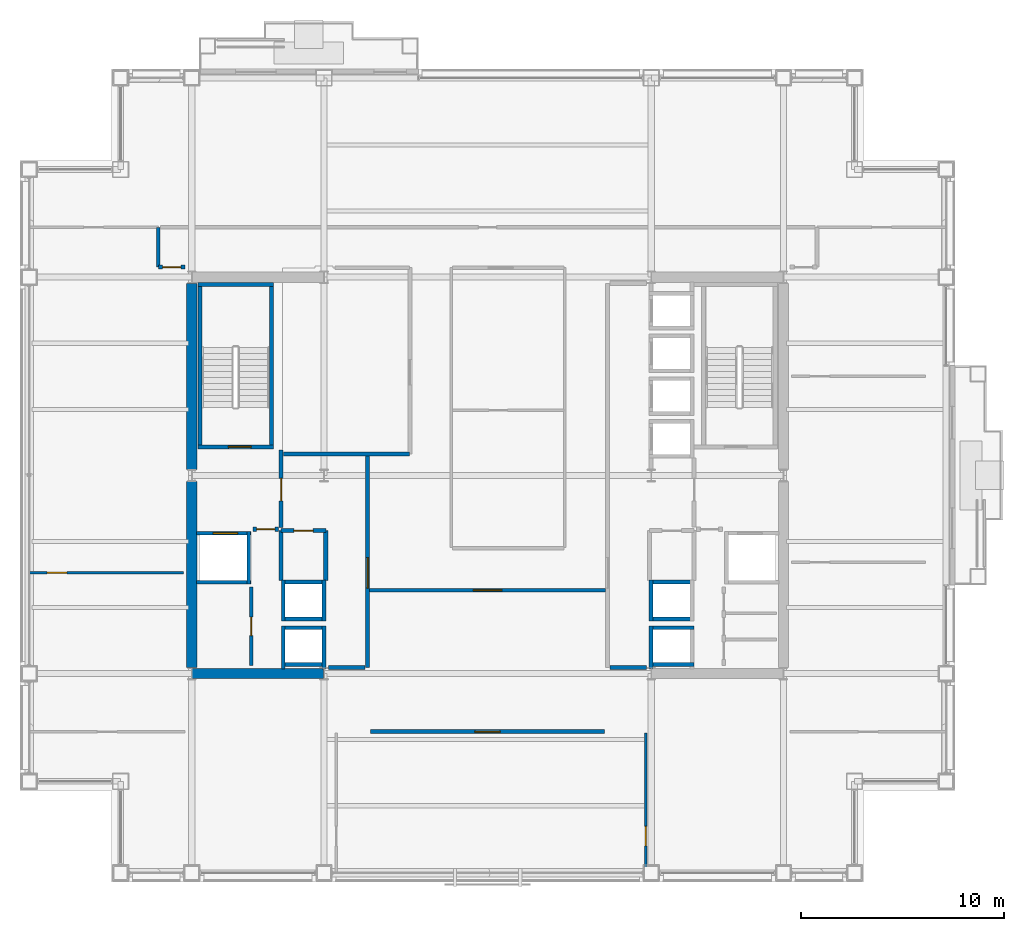
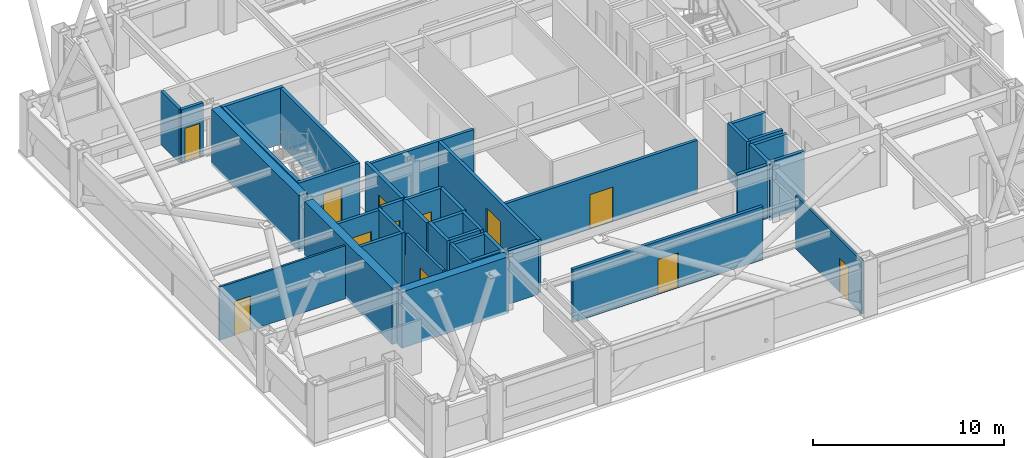
# One storey, part 29 of 35: 40 walls, 12 doors, 12 openings.
"""IFC4 building model written with IfcOpenShell, lengths in metres."""

from ifc_helpers import new_model, si_unit, direction, frame, frame_2d, origin, place, context, subcontext, project, spatial, rectangle, extrude, material, layer, layer_set, type_object, element, fill, save


model = new_model("IFC4")

# Units and contexts
model_context = context("Model", 3, precision=1e-05, world=origin(), true_north=direction((0.0, 1.0)))
body_context = subcontext(model_context, "Body", "Model", "MODEL_VIEW")
ifc_project = project(units=[si_unit("LENGTHUNIT", "METRE"), si_unit("AREAUNIT", "SQUARE_METRE"), si_unit("VOLUMEUNIT", "CUBIC_METRE"), si_unit("PLANEANGLEUNIT", "RADIAN"), si_unit("MASSUNIT", "GRAM", prefix="KILO")], contexts=[model_context])

# Site, building, storey
site_placement = place(None, origin())
site = spatial("IfcSite", under=ifc_project, at=site_placement, CompositionType="ELEMENT")
building_placement = place(site_placement, origin())
building = spatial("IfcBuilding", under=site, at=building_placement, Name="Brelmoor Portico Tower", CompositionType="ELEMENT")
storey_placement = place(building_placement, frame((0.0, 0.0, 131.39990234375)))
storey = spatial("IfcBuildingStorey", under=building, at=storey_placement, Name="L34", CompositionType="ELEMENT", Elevation=131.39990234375)

# Walls
ifc_material_1 = material(Name="Concrete C60", Category="concrete")
ifc_layer_1 = layer(ifc_material_1, 0.5)
ifc_layer_set_1 = layer_set([ifc_layer_1], Name="Concrete C60")
wall_type_1 = type_object("IfcWallType", Name="WL-CORE-500", PredefinedType="SHEAR", material=ifc_layer_set_1)
wall_1_placement = place(storey_placement, frame((-14.530029296875, -9.75, -0.199951171875), z_axis=(0.0, 0.0, 1.0), x_axis=(1.0, 0.0, 0.0)))
element("IfcWall", 1, at=wall_1_placement, inside=storey, type_object=wall_type_1, Name="L34 WC South Shear Wall", PredefinedType="SHEAR", context=body_context, shape_type="SweptSolid", body=[
    extrude(rectangle(XDim=6.4599609375, YDim=0.5, at=frame_2d((3.22998046875, 0.0))), origin(), (0.0, 0.0, 1.0), 3.60009765625),
])
for number, where, z_axis, x_axis, name in (
    (2, (-14.550048828125, -9.449951171875, -0.199951171875), (0.0, 0.0, 1.0), (0.0, 1.0, 0.0), "L34 WC Outer South Shear Wall"),
    (3, (-14.550048828125, 0.300048828125, -0.199951171875), (0.0, 0.0, 1.0), (0.0, 1.0, 0.0), "L34 WC Outer North Shear Wall"),
):
    element("IfcWall", number, at=place(storey_placement, frame(where, z_axis=z_axis, x_axis=x_axis)), inside=storey, type_object=wall_type_1, Name=name, PredefinedType="SHEAR", context=body_context, shape_type="SweptSolid", body=[
        extrude(rectangle(XDim=9.14990234375, YDim=0.5, at=frame_2d((4.574951171875, 0.0))), origin(), (0.0, 0.0, 1.0), 3.60009765625),
    ])

# Wall, opening, door
ifc_material_2 = material(Name="Lightweight Gypsum Office Partition", Category="gypsum")
ifc_layer_2 = layer(ifc_material_2, 0.1201171875)
ifc_layer_set_2 = layer_set([ifc_layer_2], Name="Lightweight Gypsum Office Partition")
wall_type_2 = type_object("IfcWallType", Name="WL-PART-120", PredefinedType="PARTITIONING", material=ifc_layer_set_2)
wall_2_placement = place(storey_placement, frame((7.778564453125, -19.56005859375, 0.0), z_axis=(0.0, 0.0, 1.0), x_axis=(0.0, 1.0, 0.0)))
wall_2 = element("IfcWall", 4, at=wall_2_placement, inside=storey, type_object=wall_type_2, Name="L34 South Suite Partition 2", PredefinedType="PARTITIONING", context=body_context, shape_type="SweptSolid", body=[
    extrude(rectangle(XDim=6.900146484375, YDim=0.1201171875, at=frame_2d((3.4501953125, 0.0))), origin(), (0.0, 0.0, 1.0), 3.400146484375),
])
opening_1_placement = place(wall_2_placement, frame((1.340087890625, 0.0, 0.0)))
opening_1 = element("IfcOpeningElement", 5, at=opening_1_placement, cuts=wall_2, Name="Opening D-IN2", PredefinedType="OPENING", context=body_context, shape_type="SweptSolid", body=[
    extrude(rectangle(XDim=0.9599609375, YDim=2.179931640625, at=frame_2d((0.47998046875, 1.08984375))), frame((0.0, 0.070068359375, 0.0), z_axis=(0.0, -1.0, 0.0), x_axis=(1.0, 0.0, 0.0)), (0.0, 0.0, 1.0), 0.14013671875),
])
ifc_material_3 = material(Name="Lacquered Timber Suite Door", Category="wood")
door_type_1 = type_object("IfcDoorType", Name="DR-INT-950", OperationType="NOTDEFINED", PredefinedType="DOOR", material=ifc_material_3)
door_1_placement = place(opening_1_placement, origin())
door_1 = element("IfcDoor", 6, at=door_1_placement, inside=storey, type_object=door_type_1, Name="D-1493 L34 South Suite Connecting Door 2", OperationType="SINGLE_SWING_RIGHT", OverallHeight=2.179931640625, OverallWidth=0.9599609375, PredefinedType="DOOR", context=body_context, shape_type="SweptSolid", body=[
    extrude(rectangle(XDim=0.9599609375, YDim=2.179931640625, at=frame_2d((0.47998046875, 1.08984375))), frame((0.0, 0.02490234375, 0.0), z_axis=(0.0, -1.0, 0.0), x_axis=(1.0, 0.0, 0.0)), (0.0, 0.0, 1.0), 0.050048828125),
])
fill(opening_1, door_1)

wall_3_placement = place(storey_placement, frame((-22.56005859375, -4.788330078125, 0.0), z_axis=(0.0, 0.0, 1.0), x_axis=(1.0, 0.0, 0.0)))
wall_3 = element("IfcWall", 7, at=wall_3_placement, inside=storey, type_object=wall_type_2, Name="L34 W Wing Partition 1", PredefinedType="PARTITIONING", context=body_context, shape_type="SweptSolid", body=[
    extrude(rectangle(XDim=7.60009765625, YDim=0.1201171875, at=frame_2d((3.800048828125, 0.0))), origin(), (0.0, 0.0, 1.0), 3.400146484375),
])
opening_2_placement = place(wall_3_placement, frame((0.89990234375, 0.0, 0.0)))
opening_2 = element("IfcOpeningElement", 8, at=opening_2_placement, cuts=wall_3, Name="Opening D-IN2", PredefinedType="OPENING", context=body_context, shape_type="SweptSolid", body=[
    extrude(rectangle(XDim=0.9599609375, YDim=2.179931640625, at=frame_2d((0.47998046875, 1.08984375))), frame((0.0, 0.070068359375, 0.0), z_axis=(0.0, -1.0, 0.0), x_axis=(1.0, 0.0, 0.0)), (0.0, 0.0, 1.0), 0.14013671875),
])
door_2_placement = place(opening_2_placement, origin())
door_2 = element("IfcDoor", 9, at=door_2_placement, inside=storey, type_object=door_type_1, Name="D-1504 L34 W Wing Suite Connecting Door 1", OperationType="SINGLE_SWING_LEFT", OverallHeight=2.179931640625, OverallWidth=0.9599609375, PredefinedType="DOOR", context=body_context, shape_type="SweptSolid", body=[
    extrude(rectangle(XDim=0.9599609375, YDim=2.179931640625, at=frame_2d((0.47998046875, 1.08984375))), frame((0.0, 0.02490234375, 0.0), z_axis=(0.0, -1.0, 0.0), x_axis=(1.0, 0.0, 0.0)), (0.0, 0.0, 1.0), 0.050048828125),
])
fill(opening_2, door_2)

ifc_material_4 = material(Name="Twin-Frame Acoustic Partition", Category="gypsum")
ifc_layer_3 = layer(ifc_material_4, 0.159912109375)
ifc_layer_set_3 = layer_set([ifc_layer_3], Name="Twin-Frame Acoustic Partition")
wall_type_3 = type_object("IfcWallType", Name="WL-PART-160", PredefinedType="PARTITIONING", material=ifc_layer_set_3)
wall_4_placement = place(storey_placement, frame((-11.6201171875, -9.35009765625, 0.0), z_axis=(0.0, 0.0, 1.0), x_axis=(0.0, 1.0, 0.0)))
wall_4 = element("IfcWall", 10, at=wall_4_placement, inside=storey, type_object=wall_type_3, Name="L34 W Core Service Front Wall", PredefinedType="PARTITIONING", context=body_context, shape_type="SweptSolid", body=[
    extrude(rectangle(XDim=3.85009765625, YDim=0.159912109375, at=frame_2d((1.925048828125, 0.0))), origin(), (0.0, 0.0, 1.0), 3.400146484375),
])
opening_3_placement = place(wall_4_placement, frame((1.47509765625, 0.0, 0.0)))
opening_3 = element("IfcOpeningElement", 11, at=opening_3_placement, cuts=wall_4, Name="Opening D-IN1", PredefinedType="OPENING", context=body_context, shape_type="SweptSolid", body=[
    extrude(rectangle(XDim=0.89990234375, YDim=2.14990234375, at=frame_2d((0.449951171875, 1.074951171875))), frame((0.0, 0.08984375, 0.0), z_axis=(0.0, -1.0, 0.0), x_axis=(1.0, 0.0, 0.0)), (0.0, 0.0, 1.0), 0.179931640625),
])
door_type_2 = type_object("IfcDoorType", Name="DR-INT-900", OperationType="NOTDEFINED", PredefinedType="DOOR", material=ifc_material_3)
door_3_placement = place(opening_3_placement, origin())
door_3 = element("IfcDoor", 12, at=door_3_placement, inside=storey, type_object=door_type_2, Name="D-1480 L34 W Accessible WC Door", OperationType="SINGLE_SWING_RIGHT", OverallHeight=2.14990234375, OverallWidth=0.89990234375, PredefinedType="DOOR", context=body_context, shape_type="SweptSolid", body=[
    extrude(rectangle(XDim=0.89990234375, YDim=2.14990234375, at=frame_2d((0.449951171875, 1.074951171875))), frame((0.0, 0.02490234375, 0.0), z_axis=(0.0, -1.0, 0.0), x_axis=(1.0, 0.0, 0.0)), (0.0, 0.0, 1.0), 0.050048828125),
])
fill(opening_3, door_3)

# Wall
ifc_material_5 = material(Name="Acoustic Corridor Fire Partition", Category="gypsum")
ifc_layer_4 = layer(ifc_material_5, 0.179931640625)
ifc_layer_set_4 = layer_set([ifc_layer_4], Name="Acoustic Corridor Fire Partition")
wall_type_4 = type_object("IfcWallType", Name="WL-PART-180", PredefinedType="PARTITIONING", material=ifc_layer_set_4)
wall_5_placement = place(storey_placement, frame((-10.050048828125, 1.050048828125, 0.0), z_axis=(0.0, 0.0, 1.0), x_axis=(1.0, 0.0, 0.0)))
element("IfcWall", 13, at=wall_5_placement, inside=storey, type_object=wall_type_4, Name="L34 Reclaimed West Suite South Wall", PredefinedType="PARTITIONING", context=body_context, shape_type="SweptSolid", body=[
    extrude(rectangle(XDim=6.2099609375, YDim=0.179931640625, at=frame_2d((3.10498046875, 0.0))), origin(), (0.0, 0.0, 1.0), 3.400146484375),
])

# Wall, opening, door
wall_6_placement = place(storey_placement, frame((-5.800048828125, -5.64990234375, 0.0), z_axis=(0.0, 0.0, 1.0), x_axis=(1.0, 0.0, 0.0)))
wall_6 = element("IfcWall", 14, at=wall_6_placement, inside=storey, type_object=wall_type_4, Name="L34 South Hub Corridor Wall", PredefinedType="PARTITIONING", context=body_context, shape_type="SweptSolid", body=[
    extrude(rectangle(XDim=11.60009765625, YDim=0.179931640625, at=frame_2d((5.800048828125, 0.0))), origin(), (0.0, 0.0, 1.0), 3.400146484375),
])
opening_4_placement = place(wall_6_placement, frame((5.10009765625, 0.0, 0.0)))
opening_4 = element("IfcOpeningElement", 15, at=opening_4_placement, cuts=wall_6, Name="Opening D-SU2", PredefinedType="OPENING", context=body_context, shape_type="SweptSolid", body=[
    extrude(rectangle(XDim=1.39990234375, YDim=2.199951171875, at=frame_2d((0.699951171875, 1.10009765625))), frame((0.0, 0.099853515625, 0.0), z_axis=(0.0, -1.0, 0.0), x_axis=(1.0, 0.0, 0.0)), (0.0, 0.0, 1.0), 0.199951171875),
])
ifc_material_6 = material(Name="Double-Leaf Acoustic Suite Door", Category="timber")
door_type_3 = type_object("IfcDoorType", Name="DR-SUITE-1400", OperationType="NOTDEFINED", PredefinedType="DOOR", material=ifc_material_6)
door_4_placement = place(opening_4_placement, origin())
door_4 = element("IfcDoor", 16, at=door_4_placement, inside=storey, type_object=door_type_3, Name="D-1472 L34 South Reception Hub Door", OperationType="DOUBLE_DOOR_SINGLE_SWING", OverallHeight=2.199951171875, OverallWidth=1.39990234375, PredefinedType="DOOR", context=body_context, shape_type="SweptSolid", body=[
    extrude(rectangle(XDim=1.39990234375, YDim=2.199951171875, at=frame_2d((0.699951171875, 1.10009765625))), frame((0.0, 0.02490234375, 0.0), z_axis=(0.0, -1.0, 0.0), x_axis=(1.0, 0.0, 0.0)), (0.0, 0.0, 1.0), 0.050048828125),
])
fill(opening_4, door_4)

wall_7_placement = place(storey_placement, frame((-5.75, -12.60009765625, 0.0), z_axis=(0.0, 0.0, 1.0), x_axis=(1.0, 0.0, 0.0)))
wall_7 = element("IfcWall", 17, at=wall_7_placement, inside=storey, type_object=wall_type_4, Name="L34 South Corridor Partition", PredefinedType="PARTITIONING", context=body_context, shape_type="SweptSolid", body=[
    extrude(rectangle(XDim=11.5, YDim=0.179931640625, at=frame_2d((5.75, 0.0))), origin(), (0.0, 0.0, 1.0), 3.400146484375),
])
opening_5_placement = place(wall_7_placement, frame((5.1298828125, 0.0, 0.0)))
opening_5 = element("IfcOpeningElement", 18, at=opening_5_placement, cuts=wall_7, Name="Opening D-SU1", PredefinedType="OPENING", context=body_context, shape_type="SweptSolid", body=[
    extrude(rectangle(XDim=1.239990234375, YDim=2.239990234375, at=frame_2d((0.6201171875, 1.1201171875))), frame((0.0, 0.099853515625, 0.0), z_axis=(0.0, -1.0, 0.0), x_axis=(1.0, 0.0, 0.0)), (0.0, 0.0, 1.0), 0.199951171875),
])
ifc_material_7 = material(Name="Glazed Timber Executive Suite Door", Category="wood")
door_type_4 = type_object("IfcDoorType", Name="DR-SUITE-1200", OperationType="NOTDEFINED", PredefinedType="DOOR", material=ifc_material_7)
door_5_placement = place(opening_5_placement, origin())
door_5 = element("IfcDoor", 19, at=door_5_placement, inside=storey, type_object=door_type_4, Name="D-1491 L34 South Technical Storage 2 Door", OperationType="SINGLE_SWING_LEFT", OverallHeight=2.239990234375, OverallWidth=1.239990234375, PredefinedType="DOOR", context=body_context, shape_type="SweptSolid", body=[
    extrude(rectangle(XDim=1.239990234375, YDim=2.239990234375, at=frame_2d((0.6201171875, 1.1201171875))), frame((0.0, 0.02490234375, 0.0), z_axis=(0.0, -1.0, 0.0), x_axis=(1.0, 0.0, 0.0)), (0.0, 0.0, 1.0), 0.050048828125),
])
fill(opening_5, door_5)

wall_8_placement = place(storey_placement, frame((-16.199951171875, 10.25, 0.0), z_axis=(0.0, 0.0, 1.0), x_axis=(1.0, 0.0, 0.0)))
wall_8 = element("IfcWall", 20, at=wall_8_placement, inside=storey, type_object=wall_type_4, Name="L34 W Wing North Entry Wall", PredefinedType="PARTITIONING", context=body_context, shape_type="SweptSolid", body=[
    extrude(rectangle(XDim=1.320068359375, YDim=0.179931640625, at=frame_2d((0.66015625, 0.0))), origin(), (0.0, 0.0, 1.0), 3.400146484375),
])
opening_6_placement = place(wall_8_placement, frame((0.2099609375, 0.0, 0.0)))
opening_6 = element("IfcOpeningElement", 21, at=opening_6_placement, cuts=wall_8, Name="Opening D-IN1", PredefinedType="OPENING", context=body_context, shape_type="SweptSolid", body=[
    extrude(rectangle(XDim=0.89990234375, YDim=2.14990234375, at=frame_2d((0.449951171875, 1.074951171875))), frame((0.0, 0.099853515625, 0.0), z_axis=(0.0, -1.0, 0.0), x_axis=(1.0, 0.0, 0.0)), (0.0, 0.0, 1.0), 0.199951171875),
])
door_6_placement = place(opening_6_placement, origin())
door_6 = element("IfcDoor", 22, at=door_6_placement, inside=storey, type_object=door_type_2, Name="D-1503 L34 W Wing Entry Door", OperationType="SINGLE_SWING_RIGHT", OverallHeight=2.14990234375, OverallWidth=0.89990234375, PredefinedType="DOOR", context=body_context, shape_type="SweptSolid", body=[
    extrude(rectangle(XDim=0.89990234375, YDim=2.14990234375, at=frame_2d((0.449951171875, 1.074951171875))), frame((0.0, 0.02490234375, 0.0), z_axis=(0.0, -1.0, 0.0), x_axis=(1.0, 0.0, 0.0)), (0.0, 0.0, 1.0), 0.050048828125),
])
fill(opening_6, door_6)

# Wall
wall_9_placement = place(storey_placement, frame((-16.199951171875, 10.25, 0.0), z_axis=(0.0, 0.0, 1.0), x_axis=(0.0, 1.0, 0.0)))
element("IfcWall", 23, at=wall_9_placement, inside=storey, type_object=wall_type_4, Name="L34 W Corridor End Closure", PredefinedType="PARTITIONING", context=body_context, shape_type="SweptSolid", body=[
    extrude(rectangle(XDim=1.949951171875, YDim=0.179931640625, at=frame_2d((0.97509765625, 0.0))), origin(), (0.0, 0.0, 1.0), 3.400146484375),
])

# Wall, opening, door
ifc_material_8 = material(Name="Double-Stud Gypsum Fire Partition", Category="gypsum")
ifc_layer_5 = layer(ifc_material_8, 0.199951171875)
ifc_layer_set_5 = layer_set([ifc_layer_5], Name="Double-Stud Gypsum Fire Partition")
wall_type_5 = type_object("IfcWallType", Name="WL-PART-200", PredefinedType="PARTITIONING", material=ifc_layer_set_5)
wall_10_placement = place(storey_placement, frame((-5.89990234375, -9.449951171875, 0.0), z_axis=(0.0, 0.0, 1.0), x_axis=(0.0, 1.0, 0.0)))
wall_10 = element("IfcWall", 24, at=wall_10_placement, inside=storey, type_object=wall_type_5, Name="L34 W Core Lobby Compartment Wall", PredefinedType="PARTITIONING", context=body_context, shape_type="SweptSolid", body=[
    extrude(rectangle(XDim=10.5, YDim=0.199951171875, at=frame_2d((5.25, 0.0))), origin(), (0.0, 0.0, 1.0), 3.400146484375),
])
opening_7_placement = place(wall_10_placement, frame((3.89990234375, 0.0, 0.0)))
opening_7 = element("IfcOpeningElement", 25, at=opening_7_placement, cuts=wall_10, Name="Opening D-LB1", PredefinedType="OPENING", context=body_context, shape_type="SweptSolid", body=[
    extrude(rectangle(XDim=1.5, YDim=2.199951171875, at=frame_2d((0.75, 1.10009765625))), frame((0.0, 0.10986328125, 0.0), z_axis=(0.0, -1.0, 0.0), x_axis=(1.0, 0.0, 0.0)), (0.0, 0.0, 1.0), 0.219970703125),
])
ifc_material_9 = material(Name="Double-Leaf Glazed Steel Fire Door", Category="steel")
door_type_5 = type_object("IfcDoorType", Name="DR-LOBBY-1500", OperationType="NOTDEFINED", PredefinedType="DOOR", material=ifc_material_9)
door_7_placement = place(opening_7_placement, origin())
door_7 = element("IfcDoor", 26, at=door_7_placement, inside=storey, type_object=door_type_5, Name="D-1486 L34 W Lift Lobby Main Door", OperationType="DOUBLE_DOOR_SINGLE_SWING", OverallHeight=2.199951171875, OverallWidth=1.5, PredefinedType="DOOR", context=body_context, shape_type="SweptSolid", body=[
    extrude(rectangle(XDim=1.5, YDim=2.199951171875, at=frame_2d((0.75, 1.10009765625))), frame((0.0, 0.02490234375, 0.0), z_axis=(0.0, -1.0, 0.0), x_axis=(1.0, 0.0, 0.0)), (0.0, 0.0, 1.0), 0.050048828125),
])
fill(opening_7, door_7)

# Wall
wall_11_placement = place(storey_placement, frame((-6.02001953125, -9.449951171875, 0.0), z_axis=(0.0, 0.0, 1.0), x_axis=(-1.0, 0.0, 0.0)))
element("IfcWall", 27, at=wall_11_placement, inside=storey, type_object=wall_type_5, Name="L34 W Lift Lobby South End Wall", PredefinedType="PARTITIONING", context=body_context, shape_type="SweptSolid", body=[
    extrude(rectangle(XDim=1.800048828125, YDim=0.199951171875, at=frame_2d((0.89990234375, 0.0))), origin(), (0.0, 0.0, 1.0), 3.400146484375),
])

# Wall, opening, door
wall_12_placement = place(storey_placement, frame((-10.159912109375, -2.550048828125, 0.0), z_axis=(0.0, 0.0, 1.0), x_axis=(0.0, 1.0, 0.0)))
wall_12 = element("IfcWall", 28, at=wall_12_placement, inside=storey, type_object=wall_type_5, Name="L34 W Firefighting Lobby Wall", PredefinedType="PARTITIONING", context=body_context, shape_type="SweptSolid", body=[
    extrude(rectangle(XDim=3.800048828125, YDim=0.199951171875, at=frame_2d((1.89990234375, 0.0))), origin(), (0.0, 0.0, 1.0), 3.400146484375),
])
opening_8_placement = place(wall_12_placement, frame((1.300048828125, 0.0, 0.0)))
opening_8 = element("IfcOpeningElement", 29, at=opening_8_placement, cuts=wall_12, Name="Opening D-FR1", PredefinedType="OPENING", context=body_context, shape_type="SweptSolid", body=[
    extrude(rectangle(XDim=1.10009765625, YDim=2.14990234375, at=frame_2d((0.550048828125, 1.074951171875))), frame((0.0, 0.10986328125, 0.0), z_axis=(0.0, -1.0, 0.0), x_axis=(1.0, 0.0, 0.0)), (0.0, 0.0, 1.0), 0.219970703125),
])
ifc_material_10 = material(Name="Painted Galvanised Steel Fire Door", Category="steel")
door_type_6 = type_object("IfcDoorType", Name="DR-FIRE-1100", OperationType="NOTDEFINED", PredefinedType="DOOR", material=ifc_material_10)
door_8_placement = place(opening_8_placement, origin())
door_8 = element("IfcDoor", 30, at=door_8_placement, inside=storey, type_object=door_type_6, Name="D-1484 L34 W Firefighting Lobby Door", OperationType="SINGLE_SWING_LEFT", OverallHeight=2.14990234375, OverallWidth=1.10009765625, PredefinedType="DOOR", context=body_context, shape_type="SweptSolid", body=[
    extrude(rectangle(XDim=1.10009765625, YDim=2.14990234375, at=frame_2d((0.550048828125, 1.074951171875))), frame((0.0, 0.02490234375, 0.0), z_axis=(0.0, -1.0, 0.0), x_axis=(1.0, 0.0, 0.0)), (0.0, 0.0, 1.0), 0.050048828125),
])
fill(opening_8, door_8)

wall_13_placement = place(storey_placement, frame((-10.280029296875, -2.64990234375, 0.0), z_axis=(0.0, 0.0, 1.0), x_axis=(-1.0, 0.0, 0.0)))
wall_13 = element("IfcWall", 31, at=wall_13_placement, inside=storey, type_object=wall_type_5, Name="L34 W Firefighting Lobby South Wall", PredefinedType="PARTITIONING", context=body_context, shape_type="SweptSolid", body=[
    extrude(rectangle(XDim=1.27001953125, YDim=0.199951171875, at=frame_2d((0.635009765625, 0.0))), origin(), (0.0, 0.0, 1.0), 3.400146484375),
])
opening_9_placement = place(wall_13_placement, frame((0.18505859375, 0.0, 0.0)))
opening_9 = element("IfcOpeningElement", 32, at=opening_9_placement, cuts=wall_13, Name="Opening D-IN1", PredefinedType="OPENING", context=body_context, shape_type="SweptSolid", body=[
    extrude(rectangle(XDim=0.89990234375, YDim=2.14990234375, at=frame_2d((0.449951171875, 1.074951171875))), frame((0.0, 0.10986328125, 0.0), z_axis=(0.0, -1.0, 0.0), x_axis=(1.0, 0.0, 0.0)), (0.0, 0.0, 1.0), 0.219970703125),
])
door_9_placement = place(opening_9_placement, origin())
door_9 = element("IfcDoor", 33, at=door_9_placement, inside=storey, type_object=door_type_2, Name="D-1479 L34 W Core Service Vestibule Door", OperationType="SINGLE_SWING_RIGHT", OverallHeight=2.14990234375, OverallWidth=0.89990234375, PredefinedType="DOOR", context=body_context, shape_type="SweptSolid", body=[
    extrude(rectangle(XDim=0.89990234375, YDim=2.14990234375, at=frame_2d((0.449951171875, 1.074951171875))), frame((0.0, 0.02490234375, 0.0), z_axis=(0.0, -1.0, 0.0), x_axis=(1.0, 0.0, 0.0)), (0.0, 0.0, 1.0), 0.050048828125),
])
fill(opening_9, door_9)

wall_14_placement = place(storey_placement, frame((-7.9599609375, -2.719970703125, 0.0), z_axis=(0.0, 0.0, 1.0), x_axis=(-1.0, 0.0, 0.0)))
wall_14 = element("IfcWall", 34, at=wall_14_placement, inside=storey, type_object=wall_type_5, Name="L34 W Electrical Switchgear Closet Wall", PredefinedType="PARTITIONING", context=body_context, shape_type="SweptSolid", body=[
    extrude(rectangle(XDim=2.199951171875, YDim=0.199951171875, at=frame_2d((1.10009765625, 0.0))), origin(), (0.0, 0.0, 1.0), 3.400146484375),
])
opening_10_placement = place(wall_14_placement, frame((0.6201171875, 0.0, 0.0)))
opening_10 = element("IfcOpeningElement", 35, at=opening_10_placement, cuts=wall_14, Name="Opening D-FR4", PredefinedType="OPENING", context=body_context, shape_type="SweptSolid", body=[
    extrude(rectangle(XDim=0.949951171875, YDim=2.10009765625, at=frame_2d((0.47509765625, 1.050048828125))), frame((0.0, 0.10986328125, 0.0), z_axis=(0.0, -1.0, 0.0), x_axis=(1.0, 0.0, 0.0)), (0.0, 0.0, 1.0), 0.219970703125),
])
ifc_material_11 = material(Name="Painted Galvanised Steel Riser Door", Category="steel")
door_type_7 = type_object("IfcDoorType", Name="DR-FIRE-950", OperationType="NOTDEFINED", PredefinedType="DOOR", material=ifc_material_11)
door_10_placement = place(opening_10_placement, origin())
door_10 = element("IfcDoor", 36, at=door_10_placement, inside=storey, type_object=door_type_7, Name="D-1482 L34 W Electrical Switchgear Closet Door", OperationType="SINGLE_SWING_LEFT", OverallHeight=2.10009765625, OverallWidth=0.949951171875, PredefinedType="DOOR", context=body_context, shape_type="SweptSolid", body=[
    extrude(rectangle(XDim=0.949951171875, YDim=2.10009765625, at=frame_2d((0.47509765625, 1.050048828125))), frame((0.0, 0.02490234375, 0.0), z_axis=(0.0, -1.0, 0.0), x_axis=(1.0, 0.0, 0.0)), (0.0, 0.0, 1.0), 0.050048828125),
])
fill(opening_10, door_10)

# Walls
for number, where, z_axis, x_axis, name in (
    (37, (-7.9599609375, -5.159912109375, 0.0), (0.0, 0.0, 1.0), (0.0, 1.0, 0.0), "L34 W Electrical Switchgear Closet Inner Wall"),
    (38, (-10.159912109375, -5.159912109375, 0.0), (0.0, 0.0, 1.0), (0.0, 1.0, 0.0), "L34 W Electrical Switchgear Closet Outer Wall"),
):
    element("IfcWall", number, at=place(storey_placement, frame(where, z_axis=z_axis, x_axis=x_axis)), inside=storey, type_object=wall_type_5, Name=name, PredefinedType="PARTITIONING", context=body_context, shape_type="SweptSolid", body=[
        extrude(rectangle(XDim=2.43994140625, YDim=0.199951171875, at=frame_2d((1.219970703125, 0.0))), origin(), (0.0, 0.0, 1.0), 3.400146484375),
    ])
wall_15_placement = place(storey_placement, frame((6.02001953125, -9.449951171875, 0.0), z_axis=(0.0, 0.0, 1.0), x_axis=(1.0, 0.0, 0.0)))
element("IfcWall", 39, at=wall_15_placement, inside=storey, type_object=wall_type_5, Name="L34 E Lift Lobby South End Wall", PredefinedType="PARTITIONING", context=body_context, shape_type="SweptSolid", body=[
    extrude(rectangle(XDim=1.800048828125, YDim=0.199951171875, at=frame_2d((0.89990234375, 0.0))), origin(), (0.0, 0.0, 1.0), 3.400146484375),
])
ifc_material_12 = material(Name="Precast Concrete C40", Category="concrete")
ifc_layer_6 = layer(ifc_material_12, 0.18994140625)
ifc_layer_set_6 = layer_set([ifc_layer_6], Name="Precast Concrete C40")
wall_type_6 = type_object("IfcWallType", Name="WL-SHAFT-180", PredefinedType="SOLIDWALL", material=ifc_layer_set_6)
for number, where, z_axis, x_axis, name in (
    (40, (-8.044921875, -9.52001953125, -0.199951171875), (0.0, 0.0, 1.0), (0.0, 1.0, 0.0), "L34 Lift PH1 Hoistway Front Wall"),
    (41, (-10.054931640625, -9.52001953125, -0.199951171875), (0.0, 0.0, 1.0), (0.0, 1.0, 0.0), "L34 Lift PH1 Hoistway Back Wall"),
):
    element("IfcWall", number, at=place(storey_placement, frame(where, z_axis=z_axis, x_axis=x_axis)), inside=storey, type_object=wall_type_6, Name=name, PredefinedType="SOLIDWALL", context=body_context, shape_type="SweptSolid", body=[
        extrude(rectangle(XDim=2.1201171875, YDim=0.18994140625, at=frame_2d((1.06005859375, 0.0))), origin(), (0.0, 0.0, 1.0), 3.60009765625),
    ])
for number, where, z_axis, x_axis, name in (
    (42, (-10.14990234375, -7.4951171875, -0.199951171875), (0.0, 0.0, 1.0), (1.0, 0.0, 0.0), "L34 Lift PH1 Hoistway North Wall"),
    (43, (-10.14990234375, -9.304931640625, -0.199951171875), (0.0, 0.0, 1.0), (1.0, 0.0, 0.0), "L34 Lift PH1 Hoistway South Wall"),
):
    element("IfcWall", number, at=place(storey_placement, frame(where, z_axis=z_axis, x_axis=x_axis)), inside=storey, type_object=wall_type_6, Name=name, PredefinedType="SOLIDWALL", context=body_context, shape_type="SweptSolid", body=[
        extrude(rectangle(XDim=2.199951171875, YDim=0.18994140625, at=frame_2d((1.10009765625, 0.0))), origin(), (0.0, 0.0, 1.0), 3.60009765625),
    ])
for number, where, z_axis, x_axis, name in (
    (44, (-8.044921875, -7.14990234375, -0.199951171875), (0.0, 0.0, 1.0), (0.0, 1.0, 0.0), "L34 Lift PH2 Hoistway Front Wall"),
    (45, (-10.054931640625, -7.14990234375, -0.199951171875), (0.0, 0.0, 1.0), (0.0, 1.0, 0.0), "L34 Lift PH2 Hoistway Back Wall"),
):
    element("IfcWall", number, at=place(storey_placement, frame(where, z_axis=z_axis, x_axis=x_axis)), inside=storey, type_object=wall_type_6, Name=name, PredefinedType="SOLIDWALL", context=body_context, shape_type="SweptSolid", body=[
        extrude(rectangle(XDim=2.0, YDim=0.18994140625, at=frame_2d((1.0, 0.0))), origin(), (0.0, 0.0, 1.0), 3.60009765625),
    ])
for number, where, z_axis, x_axis, name in (
    (46, (-10.14990234375, -5.2451171875, -0.199951171875), (0.0, 0.0, 1.0), (1.0, 0.0, 0.0), "L34 Lift PH2 Hoistway North Wall"),
    (47, (-10.14990234375, -7.054931640625, -0.199951171875), (0.0, 0.0, 1.0), (1.0, 0.0, 0.0), "L34 Lift PH2 Hoistway South Wall"),
):
    element("IfcWall", number, at=place(storey_placement, frame(where, z_axis=z_axis, x_axis=x_axis)), inside=storey, type_object=wall_type_6, Name=name, PredefinedType="SOLIDWALL", context=body_context, shape_type="SweptSolid", body=[
        extrude(rectangle(XDim=2.199951171875, YDim=0.18994140625, at=frame_2d((1.10009765625, 0.0))), origin(), (0.0, 0.0, 1.0), 3.60009765625),
    ])
wall_16_placement = place(storey_placement, frame((8.044921875, -9.52001953125, -0.199951171875), z_axis=(0.0, 0.0, 1.0), x_axis=(0.0, 1.0, 0.0)))
element("IfcWall", 48, at=wall_16_placement, inside=storey, type_object=wall_type_6, Name="L34 Lift PH3 Hoistway Front Wall", PredefinedType="SOLIDWALL", context=body_context, shape_type="SweptSolid", body=[
    extrude(rectangle(XDim=2.1201171875, YDim=0.18994140625, at=frame_2d((1.06005859375, 0.0))), origin(), (0.0, 0.0, 1.0), 3.60009765625),
])
for number, where, z_axis, x_axis, name in (
    (49, (7.949951171875, -7.4951171875, -0.199951171875), (0.0, 0.0, 1.0), (1.0, 0.0, 0.0), "L34 Lift PH3 Hoistway North Wall"),
    (50, (7.949951171875, -9.304931640625, -0.199951171875), (0.0, 0.0, 1.0), (1.0, 0.0, 0.0), "L34 Lift PH3 Hoistway South Wall"),
):
    element("IfcWall", number, at=place(storey_placement, frame(where, z_axis=z_axis, x_axis=x_axis)), inside=storey, type_object=wall_type_6, Name=name, PredefinedType="SOLIDWALL", context=body_context, shape_type="SweptSolid", body=[
        extrude(rectangle(XDim=2.199951171875, YDim=0.18994140625, at=frame_2d((1.10009765625, 0.0))), origin(), (0.0, 0.0, 1.0), 3.60009765625),
    ])
wall_17_placement = place(storey_placement, frame((8.044921875, -7.14990234375, -0.199951171875), z_axis=(0.0, 0.0, 1.0), x_axis=(0.0, 1.0, 0.0)))
element("IfcWall", 51, at=wall_17_placement, inside=storey, type_object=wall_type_6, Name="L34 Lift PH4 Hoistway Front Wall", PredefinedType="SOLIDWALL", context=body_context, shape_type="SweptSolid", body=[
    extrude(rectangle(XDim=2.0, YDim=0.18994140625, at=frame_2d((1.0, 0.0))), origin(), (0.0, 0.0, 1.0), 3.60009765625),
])
for number, where, z_axis, x_axis, name in (
    (52, (7.949951171875, -5.2451171875, -0.199951171875), (0.0, 0.0, 1.0), (1.0, 0.0, 0.0), "L34 Lift PH4 Hoistway North Wall"),
    (53, (7.949951171875, -7.054931640625, -0.199951171875), (0.0, 0.0, 1.0), (1.0, 0.0, 0.0), "L34 Lift PH4 Hoistway South Wall"),
):
    element("IfcWall", number, at=place(storey_placement, frame(where, z_axis=z_axis, x_axis=x_axis)), inside=storey, type_object=wall_type_6, Name=name, PredefinedType="SOLIDWALL", context=body_context, shape_type="SweptSolid", body=[
        extrude(rectangle(XDim=2.199951171875, YDim=0.18994140625, at=frame_2d((1.10009765625, 0.0))), origin(), (0.0, 0.0, 1.0), 3.60009765625),
    ])

# Wall, opening, door
wall_18_placement = place(storey_placement, frame((-14.330078125, -2.844970703125, -0.199951171875), z_axis=(0.0, 0.0, 1.0), x_axis=(1.0, 0.0, 0.0)))
wall_18 = element("IfcWall", 54, at=wall_18_placement, inside=storey, type_object=wall_type_6, Name="L34 Lift FF1 Hoistway Front Wall", PredefinedType="SOLIDWALL", context=body_context, shape_type="SweptSolid", body=[
    extrude(rectangle(XDim=2.68017578125, YDim=0.18994140625, at=frame_2d((1.340087890625, 0.0))), origin(), (0.0, 0.0, 1.0), 3.60009765625),
])
opening_11_placement = place(wall_18_placement, frame((0.830078125, 0.0, 0.199951171875)))
opening_11 = element("IfcOpeningElement", 55, at=opening_11_placement, cuts=wall_18, Name="Opening LD-02", PredefinedType="OPENING", context=body_context, shape_type="SweptSolid", body=[
    extrude(rectangle(XDim=1.199951171875, YDim=2.199951171875, at=frame_2d((0.60009765625, 1.10009765625))), frame((0.0, 0.10498046875, 0.0), z_axis=(0.0, -1.0, 0.0), x_axis=(1.0, 0.0, 0.0)), (0.0, 0.0, 1.0), 0.2099609375),
])
ifc_material_13 = material(Name="Brushed Stainless Steel Firefighting Lift Door", Category="steel")
door_type_8 = type_object("IfcDoorType", Name="DR-LIFT-1200", OperationType="NOTDEFINED", PredefinedType="DOOR", material=ifc_material_13)
door_11_placement = place(opening_11_placement, origin())
door_11 = element("IfcDoor", 56, at=door_11_placement, inside=storey, type_object=door_type_8, Name="D-1505 L34 Lift FF1 Sliding Landing Door", OperationType="SLIDING_TO_LEFT", OverallHeight=2.199951171875, OverallWidth=1.199951171875, PredefinedType="DOOR", context=body_context, shape_type="SweptSolid", body=[
    extrude(rectangle(XDim=1.199951171875, YDim=2.199951171875, at=frame_2d((0.60009765625, 1.10009765625))), frame((0.0, 0.02490234375, 0.0), z_axis=(0.0, -1.0, 0.0), x_axis=(1.0, 0.0, 0.0)), (0.0, 0.0, 1.0), 0.050048828125),
])
fill(opening_11, door_11)

# Walls
wall_19_placement = place(storey_placement, frame((-14.330078125, -5.2548828125, -0.199951171875), z_axis=(0.0, 0.0, 1.0), x_axis=(1.0, 0.0, 0.0)))
element("IfcWall", 57, at=wall_19_placement, inside=storey, type_object=wall_type_6, Name="L34 Firefighting Lift FF1 South Wall", PredefinedType="SOLIDWALL", context=body_context, shape_type="SweptSolid", body=[
    extrude(rectangle(XDim=2.68017578125, YDim=0.18994140625, at=frame_2d((1.340087890625, 0.0))), origin(), (0.0, 0.0, 1.0), 3.60009765625),
])
wall_20_placement = place(storey_placement, frame((-11.7451171875, -5.35009765625, -0.199951171875), z_axis=(0.0, 0.0, 1.0), x_axis=(0.0, 1.0, 0.0)))
element("IfcWall", 58, at=wall_20_placement, inside=storey, type_object=wall_type_6, Name="L34 Firefighting Lift FF1 Inner Wall", PredefinedType="SOLIDWALL", context=body_context, shape_type="SweptSolid", body=[
    extrude(rectangle(XDim=2.60009765625, YDim=0.18994140625, at=frame_2d((1.300048828125, 0.0))), origin(), (0.0, 0.0, 1.0), 3.60009765625),
])
ifc_material_14 = material(Name="Concrete C40", Category="concrete")
ifc_layer_7 = layer(ifc_material_14, 0.199951171875)
ifc_layer_set_7 = layer_set([ifc_layer_7], Name="Concrete C40")
wall_type_7 = type_object("IfcWallType", Name="WL-SHAFT-RC200", PredefinedType="SOLIDWALL", material=ifc_layer_set_7)
wall_21_placement = place(storey_placement, frame((-14.14990234375, 1.5, -0.199951171875), z_axis=(0.0, 0.0, 1.0), x_axis=(0.0, 1.0, 0.0)))
element("IfcWall", 59, at=wall_21_placement, inside=storey, type_object=wall_type_7, Name="L34 ST-W Structural Stair Wall Outer", PredefinedType="SOLIDWALL", context=body_context, shape_type="SweptSolid", body=[
    extrude(rectangle(XDim=7.800048828125, YDim=0.199951171875, at=frame_2d((3.89990234375, 0.0))), origin(), (0.0, 0.0, 1.0), 3.60009765625),
])

# Wall, opening, door
wall_22_placement = place(storey_placement, frame((-14.25, 1.39990234375, -0.199951171875), z_axis=(0.0, 0.0, 1.0), x_axis=(1.0, 0.0, 0.0)))
wall_22 = element("IfcWall", 60, at=wall_22_placement, inside=storey, type_object=wall_type_7, Name="L34 ST-W Structural Stair Wall S", PredefinedType="SOLIDWALL", context=body_context, shape_type="SweptSolid", body=[
    extrude(rectangle(XDim=3.719970703125, YDim=0.199951171875, at=frame_2d((1.85986328125, 0.0))), origin(), (0.0, 0.0, 1.0), 3.60009765625),
])
opening_12_placement = place(wall_22_placement, frame((1.5, 0.0, 0.199951171875)))
opening_12 = element("IfcOpeningElement", 61, at=opening_12_placement, cuts=wall_22, Name="Opening D-ST1", PredefinedType="OPENING", context=body_context, shape_type="SweptSolid", body=[
    extrude(rectangle(XDim=1.1201171875, YDim=2.179931640625, at=frame_2d((0.56005859375, 1.08984375))), frame((0.0, 0.10986328125, 0.0), z_axis=(0.0, -1.0, 0.0), x_axis=(1.0, 0.0, 0.0)), (0.0, 0.0, 1.0), 0.219970703125),
])
door_type_9 = type_object("IfcDoorType", Name="DR-STAIR-1100", OperationType="NOTDEFINED", PredefinedType="DOOR", material=ifc_material_10)
door_12_placement = place(opening_12_placement, origin())
door_12 = element("IfcDoor", 62, at=door_12_placement, inside=storey, type_object=door_type_9, Name="D-1495 L34 ST-W Protected Exit Stair Door", OperationType="SINGLE_SWING_LEFT", OverallHeight=2.179931640625, OverallWidth=1.1201171875, PredefinedType="DOOR", context=body_context, shape_type="SweptSolid", body=[
    extrude(rectangle(XDim=1.1201171875, YDim=2.179931640625, at=frame_2d((0.56005859375, 1.08984375))), frame((0.0, 0.02490234375, 0.0), z_axis=(0.0, -1.0, 0.0), x_axis=(1.0, 0.0, 0.0)), (0.0, 0.0, 1.0), 0.050048828125),
])
fill(opening_12, door_12)

# Walls
wall_23_placement = place(storey_placement, frame((-14.25, 9.39990234375, -0.199951171875), z_axis=(0.0, 0.0, 1.0), x_axis=(1.0, 0.0, 0.0)))
element("IfcWall", 63, at=wall_23_placement, inside=storey, type_object=wall_type_7, Name="L34 ST-W Structural Stair Wall N", PredefinedType="SOLIDWALL", context=body_context, shape_type="SweptSolid", body=[
    extrude(rectangle(XDim=3.719970703125, YDim=0.199951171875, at=frame_2d((1.85986328125, 0.0))), origin(), (0.0, 0.0, 1.0), 3.60009765625),
])
wall_24_placement = place(storey_placement, frame((-10.6298828125, 1.5, -0.199951171875), z_axis=(0.0, 0.0, 1.0), x_axis=(0.0, 1.0, 0.0)))
element("IfcWall", 64, at=wall_24_placement, inside=storey, type_object=wall_type_7, Name="L34 ST-W Structural Stair Wall Inner", PredefinedType="SOLIDWALL", context=body_context, shape_type="SweptSolid", body=[
    extrude(rectangle(XDim=7.800048828125, YDim=0.199951171875, at=frame_2d((3.89990234375, 0.0))), origin(), (0.0, 0.0, 1.0), 3.60009765625),
])

save(model, "model.ifc")
